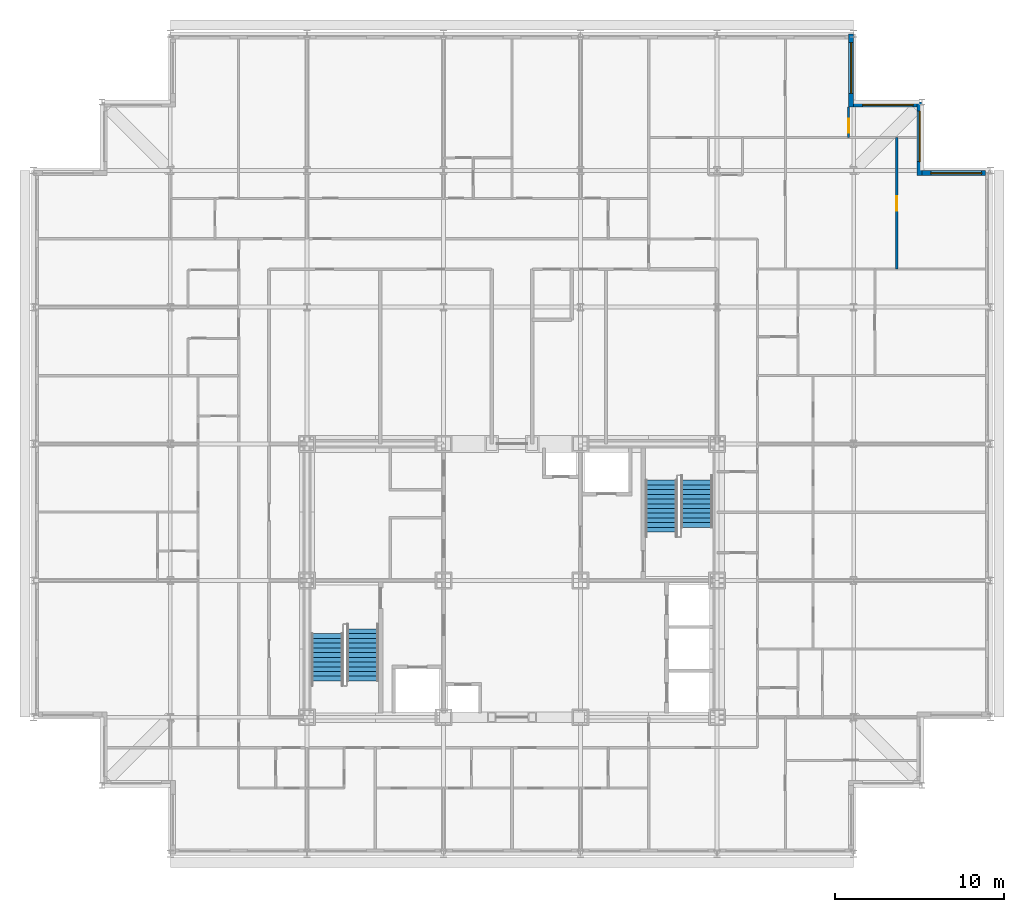
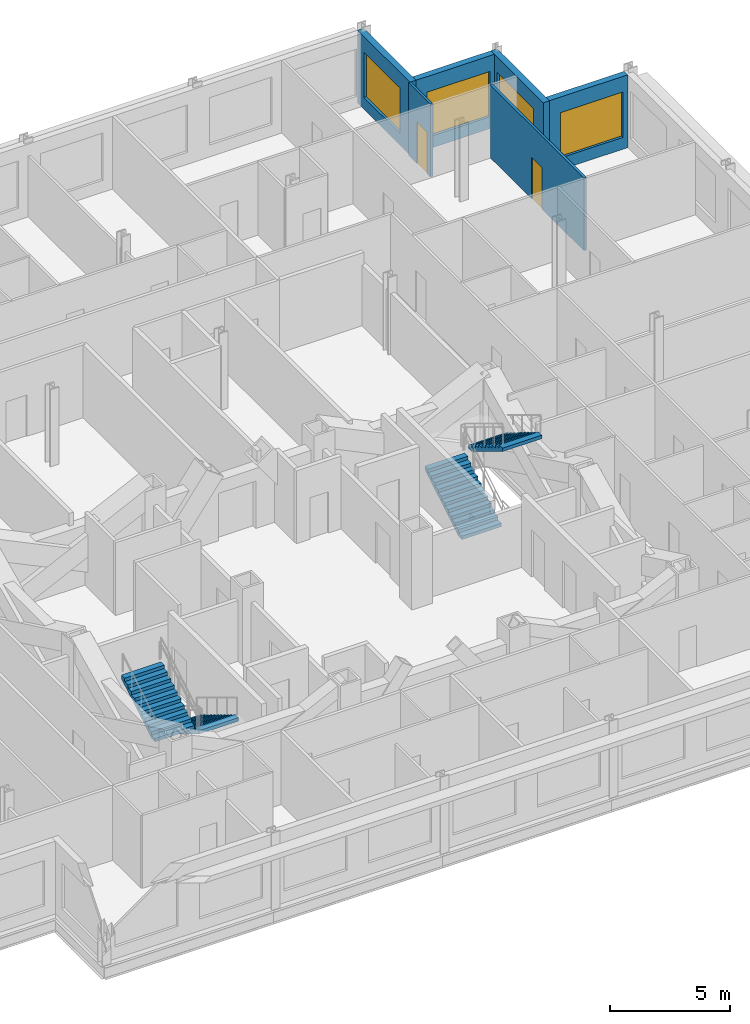
# One storey, part 14 of 15: 6 walls, 4 stair flights, 4 windows, 2 doors, 6 openings, 2 elements without a shape of their own.
"""IFC4 building model written with IfcOpenShell, lengths in metres."""

from ifc_helpers import new_model, si_unit, direction, frame, frame_2d, origin, place, context, subcontext, project, spatial, rectangle, extrude, polygons, source, transform, mapped, material, layer, layer_set, type_object, element, fill, aggregate, save


model = new_model("IFC4")

# Units and contexts
model_context = context("Model", 3, precision=1e-05, world=origin(), true_north=direction((0.0, 1.0)))
body_context = subcontext(model_context, "Body", "Model", "MODEL_VIEW")
ifc_project = project(units=[si_unit("LENGTHUNIT", "METRE"), si_unit("AREAUNIT", "SQUARE_METRE"), si_unit("VOLUMEUNIT", "CUBIC_METRE"), si_unit("PLANEANGLEUNIT", "RADIAN"), si_unit("MASSUNIT", "GRAM", prefix="KILO")], contexts=[model_context])

# Site, building, storey
site_placement = place(None, origin())
site = spatial("IfcSite", under=ifc_project, at=site_placement, CompositionType="ELEMENT")
building_placement = place(site_placement, origin())
building = spatial("IfcBuilding", under=site, at=building_placement, Name="Kopane Lantern Tower", CompositionType="ELEMENT")
storey_placement = place(building_placement, frame((0.0, 0.0, 254.10009765625)))
storey = spatial("IfcBuildingStorey", under=building, at=storey_placement, Name="L65", CompositionType="ELEMENT", Elevation=254.10009765625)

# Wall, opening, door
ifc_material_1 = material(Name="Gypsum board on steel studs", Category="steel")
ifc_layer_1 = layer(ifc_material_1, 0.1201171875)
ifc_layer_set_1 = layer_set([ifc_layer_1], Name="APARTMENT INTERNAL WALL 120")
wall_type_1 = type_object("IfcWallType", Name="APARTMENT INTERNAL WALL 120", PredefinedType="PARTITIONING", material=ifc_layer_set_1)
wall_1_placement = place(storey_placement, frame((48.300048828125, 58.64990234375, 0.0), z_axis=(0.0, 0.0, 1.0), x_axis=(0.0, 1.0, 0.0)))
wall_1 = element("IfcWall", 1, at=wall_1_placement, inside=storey, type_object=wall_type_1, Name="Apartment Internal Wall 120 L65", PredefinedType="PARTITIONING", context=body_context, shape_type="SweptSolid", body=[
    extrude(rectangle(XDim=1.800048828125, YDim=0.1201171875, at=frame_2d((0.89990234375, 0.0))), origin(), (0.0, 0.0, 1.0), 3.68994140625),
])
opening_1_placement = place(wall_1_placement, frame((0.27490234375, 0.0, 0.0)))
opening_1 = element("IfcOpeningElement", 2, at=opening_1_placement, cuts=wall_1, Name="Opening L65-064", PredefinedType="OPENING", context=body_context, shape_type="SweptSolid", body=[
    extrude(rectangle(XDim=0.85009765625, YDim=2.10009765625, at=frame_2d((0.425048828125, 1.050048828125))), frame((0.0, 0.070068359375, 0.0), z_axis=(0.0, -1.0, 0.0), x_axis=(1.0, 0.0, 0.0)), (0.0, 0.0, 1.0), 0.14013671875),
])
ifc_material_2 = material(Name="Timber door set", Category="wood")
door_type = type_object("IfcDoorType", Name="DOOR D4 850x2100", OperationType="SINGLE_SWING_LEFT", PredefinedType="DOOR", material=ifc_material_2)
door_1_placement = place(opening_1_placement, origin())
door_1 = element("IfcDoor", 3, at=door_1_placement, inside=storey, type_object=door_type, Name="Door L65-064", OperationType="SINGLE_SWING_RIGHT", OverallHeight=2.10009765625, OverallWidth=0.85009765625, PredefinedType="DOOR", context=body_context, shape_type="SweptSolid", body=[
    extrude(rectangle(XDim=0.85009765625, YDim=2.10009765625, at=frame_2d((0.425048828125, 1.050048828125))), frame((0.0, 0.02490234375, 0.0), z_axis=(0.0, -1.0, 0.0), x_axis=(1.0, 0.0, 0.0)), (0.0, 0.0, 1.0), 0.050048828125),
])
fill(opening_1, door_1)

wall_2_placement = place(storey_placement, frame((51.14990234375, 50.85009765625, 0.0), z_axis=(0.0, 0.0, 1.0), x_axis=(0.0, 1.0, 0.0)))
wall_2 = element("IfcWall", 4, at=wall_2_placement, inside=storey, type_object=wall_type_1, Name="Apartment Internal Wall 120 L65", PredefinedType="PARTITIONING", context=body_context, shape_type="SweptSolid", body=[
    extrude(rectangle(XDim=7.7998046875, YDim=0.1201171875, at=frame_2d((3.89990234375, 0.0))), origin(), (0.0, 0.0, 1.0), 3.68994140625),
])
opening_2_placement = place(wall_2_placement, frame((3.47509765625, 0.0, 0.0)))
opening_2 = element("IfcOpeningElement", 5, at=opening_2_placement, cuts=wall_2, Name="Opening L65-070", PredefinedType="OPENING", context=body_context, shape_type="SweptSolid", body=[
    extrude(rectangle(XDim=0.85009765625, YDim=2.10009765625, at=frame_2d((0.425048828125, 1.050048828125))), frame((0.0, 0.070068359375, 0.0), z_axis=(0.0, -1.0, 0.0), x_axis=(1.0, 0.0, 0.0)), (0.0, 0.0, 1.0), 0.14013671875),
])
door_2_placement = place(opening_2_placement, origin())
door_2 = element("IfcDoor", 6, at=door_2_placement, inside=storey, type_object=door_type, Name="Door L65-070", OperationType="SINGLE_SWING_RIGHT", OverallHeight=2.10009765625, OverallWidth=0.85009765625, PredefinedType="DOOR", context=body_context, shape_type="SweptSolid", body=[
    extrude(rectangle(XDim=0.85009765625, YDim=2.10009765625, at=frame_2d((0.425048828125, 1.050048828125))), frame((0.0, 0.02490234375, 0.0), z_axis=(0.0, -1.0, 0.0), x_axis=(1.0, 0.0, 0.0)), (0.0, 0.0, 1.0), 0.050048828125),
])
fill(opening_2, door_2)

# Wall, opening, window
ifc_material_3 = material(Name="Terracotta rainscreen on light steel framing", Category="masonry")
ifc_layer_2 = layer(ifc_material_3, 0.300048828125)
ifc_layer_set_2 = layer_set([ifc_layer_2], Name="EXTERNAL WALL EW1 300 TERRACOTTA")
wall_type_2 = type_object("IfcWallType", Name="EXTERNAL WALL EW1 300 TERRACOTTA", PredefinedType="SOLIDWALL", material=ifc_layer_set_2)
wall_3_placement = place(storey_placement, frame((56.39990234375, 56.550048828125, 0.0), z_axis=(0.0, 0.0, 1.0), x_axis=(-1.0, 0.0, 0.0)))
wall_3 = element("IfcWall", 7, at=wall_3_placement, inside=storey, type_object=wall_type_2, Name="External wall N L65", PredefinedType="SOLIDWALL", context=body_context, shape_type="SweptSolid", body=[
    extrude(rectangle(XDim=3.75, YDim=0.300048828125, at=frame_2d((1.875, 0.0))), origin(), (0.0, 0.0, 1.0), 3.68994140625),
])
opening_3_placement = place(wall_3_placement, frame((0.22509765625, 0.0, 0.60009765625)))
opening_3 = element("IfcOpeningElement", 8, at=opening_3_placement, cuts=wall_3, Name="Opening WR300230", PredefinedType="OPENING", context=body_context, shape_type="SweptSolid", body=[
    extrude(rectangle(XDim=3.0, YDim=2.300048828125, at=frame_2d((1.5, 1.14990234375))), frame((0.0, 0.159912109375, 0.0), z_axis=(0.0, -1.0, 0.0), x_axis=(1.0, 0.0, 0.0)), (0.0, 0.0, 1.0), 0.320068359375),
])
ifc_material_4 = material(Name="Aluminium and clear glass", Category="aluminium")
window_type = type_object("IfcWindowType", Name="RIBBON WINDOW WR300230 3000x2300", PartitioningType="SINGLE_PANEL", PredefinedType="WINDOW", material=ifc_material_4)
window_1_placement = place(opening_3_placement, origin())
window_1 = element("IfcWindow", 9, at=window_1_placement, inside=storey, type_object=window_type, Name="Window N L65", OverallHeight=2.300048828125, OverallWidth=3.0, PartitioningType="SINGLE_PANEL", PredefinedType="WINDOW", context=body_context, shape_type="SweptSolid", body=[
    extrude(rectangle(XDim=3.0, YDim=2.300048828125, at=frame_2d((1.5, 1.14990234375))), frame((0.0, 0.030029296875, 0.0), z_axis=(0.0, -1.0, 0.0), x_axis=(1.0, 0.0, 0.0)), (0.0, 0.0, 1.0), 0.06005859375),
])
fill(opening_3, window_1)

wall_4_placement = place(storey_placement, frame((52.5, 56.39990234375, 0.0), z_axis=(0.0, 0.0, 1.0), x_axis=(0.0, 1.0, 0.0)))
wall_4 = element("IfcWall", 10, at=wall_4_placement, inside=storey, type_object=wall_type_2, Name="External wall E L65", PredefinedType="SOLIDWALL", context=body_context, shape_type="SweptSolid", body=[
    extrude(rectangle(XDim=4.35009765625, YDim=0.300048828125, at=frame_2d((2.175048828125, 0.0))), origin(), (0.0, 0.0, 1.0), 3.68994140625),
])
opening_4_placement = place(wall_4_placement, frame((0.824951171875, 0.0, 0.60009765625)))
opening_4 = element("IfcOpeningElement", 11, at=opening_4_placement, cuts=wall_4, Name="Opening WR300230", PredefinedType="OPENING", context=body_context, shape_type="SweptSolid", body=[
    extrude(rectangle(XDim=3.0, YDim=2.300048828125, at=frame_2d((1.5, 1.14990234375))), frame((0.0, 0.159912109375, 0.0), z_axis=(0.0, -1.0, 0.0), x_axis=(1.0, 0.0, 0.0)), (0.0, 0.0, 1.0), 0.320068359375),
])
window_2_placement = place(opening_4_placement, origin())
window_2 = element("IfcWindow", 12, at=window_2_placement, inside=storey, type_object=window_type, Name="Window E L65", OverallHeight=2.300048828125, OverallWidth=3.0, PartitioningType="SINGLE_PANEL", PredefinedType="WINDOW", context=body_context, shape_type="SweptSolid", body=[
    extrude(rectangle(XDim=3.0, YDim=2.300048828125, at=frame_2d((1.5, 1.14990234375))), frame((0.0, 0.030029296875, 0.0), z_axis=(0.0, -1.0, 0.0), x_axis=(1.0, 0.0, 0.0)), (0.0, 0.0, 1.0), 0.06005859375),
])
fill(opening_4, window_2)

wall_5_placement = place(storey_placement, frame((52.35009765625, 60.60009765625, 0.0), z_axis=(0.0, 0.0, 1.0), x_axis=(-1.0, 0.0, 0.0)))
wall_5 = element("IfcWall", 13, at=wall_5_placement, inside=storey, type_object=wall_type_2, Name="External wall N L65", PredefinedType="SOLIDWALL", context=body_context, shape_type="SweptSolid", body=[
    extrude(rectangle(XDim=3.75, YDim=0.300048828125, at=frame_2d((1.875, 0.0))), origin(), (0.0, 0.0, 1.0), 3.68994140625),
])
opening_5_placement = place(wall_5_placement, frame((0.22509765625, 0.0, 0.60009765625)))
opening_5 = element("IfcOpeningElement", 14, at=opening_5_placement, cuts=wall_5, Name="Opening WR300230", PredefinedType="OPENING", context=body_context, shape_type="SweptSolid", body=[
    extrude(rectangle(XDim=3.0, YDim=2.300048828125, at=frame_2d((1.5, 1.14990234375))), frame((0.0, 0.159912109375, 0.0), z_axis=(0.0, -1.0, 0.0), x_axis=(1.0, 0.0, 0.0)), (0.0, 0.0, 1.0), 0.320068359375),
])
window_3_placement = place(opening_5_placement, origin())
window_3 = element("IfcWindow", 15, at=window_3_placement, inside=storey, type_object=window_type, Name="Window N L65", OverallHeight=2.300048828125, OverallWidth=3.0, PartitioningType="SINGLE_PANEL", PredefinedType="WINDOW", context=body_context, shape_type="SweptSolid", body=[
    extrude(rectangle(XDim=3.0, YDim=2.300048828125, at=frame_2d((1.5, 1.14990234375))), frame((0.0, 0.030029296875, 0.0), z_axis=(0.0, -1.0, 0.0), x_axis=(1.0, 0.0, 0.0)), (0.0, 0.0, 1.0), 0.06005859375),
])
fill(opening_5, window_3)

wall_6_placement = place(storey_placement, frame((48.449951171875, 60.449951171875, 0.0), z_axis=(0.0, 0.0, 1.0), x_axis=(0.0, 1.0, 0.0)))
wall_6 = element("IfcWall", 16, at=wall_6_placement, inside=storey, type_object=wall_type_2, Name="External wall E L65", PredefinedType="SOLIDWALL", context=body_context, shape_type="SweptSolid", body=[
    extrude(rectangle(XDim=4.35009765625, YDim=0.300048828125, at=frame_2d((2.175048828125, 0.0))), origin(), (0.0, 0.0, 1.0), 3.68994140625),
])
opening_6_placement = place(wall_6_placement, frame((0.824951171875, 0.0, 0.60009765625)))
opening_6 = element("IfcOpeningElement", 17, at=opening_6_placement, cuts=wall_6, Name="Opening WR300230", PredefinedType="OPENING", context=body_context, shape_type="SweptSolid", body=[
    extrude(rectangle(XDim=3.0, YDim=2.300048828125, at=frame_2d((1.5, 1.14990234375))), frame((0.0, 0.159912109375, 0.0), z_axis=(0.0, -1.0, 0.0), x_axis=(1.0, 0.0, 0.0)), (0.0, 0.0, 1.0), 0.320068359375),
])
window_4_placement = place(opening_6_placement, origin())
window_4 = element("IfcWindow", 18, at=window_4_placement, inside=storey, type_object=window_type, Name="Window E L65", OverallHeight=2.300048828125, OverallWidth=3.0, PartitioningType="SINGLE_PANEL", PredefinedType="WINDOW", context=body_context, shape_type="SweptSolid", body=[
    extrude(rectangle(XDim=3.0, YDim=2.300048828125, at=frame_2d((1.5, 1.14990234375))), frame((0.0, 0.030029296875, 0.0), z_axis=(0.0, -1.0, 0.0), x_axis=(1.0, 0.0, 0.0)), (0.0, 0.0, 1.0), 0.06005859375),
])
fill(opening_6, window_4)

# Stair, stair flight
ifc_material_5 = material(Name="Steel S355JR", Category="steel")
stair_type = type_object("IfcStairType", Name="EXIT STAIR 1900 HALF TURN", PredefinedType="HALF_TURN_STAIR", material=ifc_material_5)
stair_1_placement = place(storey_placement, origin())
stair_1 = element("IfcStair", 19, at=stair_1_placement, inside=storey, type_object=stair_type, Name="Exit stair ST1 L65", PredefinedType="HALF_TURN_STAIR")
ifc_material_6 = material(Name="Steel S355JR", Category="steel")
stair_flight_type = type_object("IfcStairFlightType", Name="STAIR FLIGHT 1900 STEEL", PredefinedType="STRAIGHT", material=ifc_material_6)
shared_shape_1 = source(origin(), body_context, "Body", "Tessellation", [
    polygons([(3.080078125, 0.949951172, 1.865234375), (2.800048828, 0.949951172, 1.865234375), (2.800048828, -0.949951172, 1.865234375), (3.080078125, -0.949951172, 1.865234375), (0.289306641, 0.949951172, 0.0), (3.080078125, 0.949951172, 1.689941406), (3.080078125, -0.949951172, 1.689941406), (0.289306641, -0.949951172, 0.0), (0.0, 0.949951172, 0.0), (0.0, -0.949951172, 0.0), (0.280029297, 0.949951172, 0.169677734), (0.0, 0.949951172, 0.169677734), (0.0, -0.949951172, 0.169677734), (0.280029297, -0.949951172, 0.169677734), (0.280029297, 0.949951172, 0.339111328), (0.280029297, -0.949951172, 0.339111328), (0.560058594, 0.949951172, 0.339111328), (0.560058594, -0.949951172, 0.339111328), (0.560058594, 0.949951172, 0.508789062), (0.560058594, -0.949951172, 0.508789062), (0.840087891, 0.949951172, 0.508789062), (0.840087891, -0.949951172, 0.508789062), (0.840087891, 0.949951172, 0.678222656), (0.840087891, -0.949951172, 0.678222656), (1.120117188, 0.949951172, 0.678222656), (1.120117188, -0.949951172, 0.678222656), (1.120117188, 0.949951172, 0.847900391), (1.120117188, -0.949951172, 0.847900391), (1.399902344, 0.949951172, 0.847900391), (1.399902344, -0.949951172, 0.847900391), (1.399902344, 0.949951172, 1.017333984), (1.399902344, -0.949951172, 1.017333984), (1.679931641, 0.949951172, 1.017333984), (1.679931641, -0.949951172, 1.017333984), (1.679931641, 0.949951172, 1.187011719), (1.679931641, -0.949951172, 1.187011719), (1.959960938, 0.949951172, 1.187011719), (1.959960938, -0.949951172, 1.187011719), (1.959960938, 0.949951172, 1.356445312), (1.959960938, -0.949951172, 1.356445312), (2.239990234, 0.949951172, 1.356445312), (2.239990234, -0.949951172, 1.356445312), (2.239990234, 0.949951172, 1.526123047), (2.239990234, -0.949951172, 1.526123047), (2.520019531, 0.949951172, 1.526123047), (2.520019531, -0.949951172, 1.526123047), (2.520019531, 0.949951172, 1.695556641), (2.520019531, -0.949951172, 1.695556641), (2.800048828, 0.949951172, 1.695556641), (2.800048828, -0.949951172, 1.695556641), (0.0, 0.0, 0.004585885), (0.0, 0.0, 0.009171769), (0.0, 0.0, 0.013757654), (0.0, 0.0, 0.018343539), (0.0, 0.0, 0.022929424), (0.0, 0.0, 0.027515308), (0.0, 0.0, 0.032101193), (0.0, 0.0, 0.036687078), (0.0, 0.0, 0.041272962), (0.0, 0.0, 0.045858847), (0.0, 0.0, 0.050444732), (0.0, 0.0, 0.055030617), (0.0, 0.0, 0.059616501), (0.0, 0.0, 0.064202386), (0.0, 0.0, 0.068788271), (0.0, 0.0, 0.073374155), (0.0, 0.0, 0.07796004), (0.0, 0.0, 0.082545925), (0.0, 0.0, 0.08713181), (0.0, 0.0, 0.091717694), (0.0, 0.0, 0.096303579), (0.0, 0.0, 0.100889464), (0.0, 0.0, 0.105475348), (0.0, 0.0, 0.110061233), (0.0, 0.0, 0.114647118), (0.0, 0.0, 0.119233003), (0.0, 0.0, 0.123818887), (0.0, 0.0, 0.128404772), (0.0, 0.0, 0.132990657), (0.0, 0.0, 0.137576541), (0.0, 0.0, 0.142162426), (0.0, 0.0, 0.146748311), (0.0, 0.0, 0.151334196), (0.0, 0.0, 0.15592008), (0.0, 0.0, 0.160505965), (0.0, 0.0, 0.16509185), (3.080078125, 0.0, 1.694679054), (3.080078125, 0.0, 1.699416702), (3.080078125, 0.0, 1.70415435), (3.080078125, 0.0, 1.708891997), (3.080078125, 0.0, 1.713629645), (3.080078125, 0.0, 1.718367293), (3.080078125, 0.0, 1.723104941), (3.080078125, 0.0, 1.727842589), (3.080078125, 0.0, 1.732580236), (3.080078125, 0.0, 1.737317884), (3.080078125, 0.0, 1.742055532), (3.080078125, 0.0, 1.74679318), (3.080078125, 0.0, 1.751530828), (3.080078125, 0.0, 1.756268476), (3.080078125, 0.0, 1.761006123), (3.080078125, 0.0, 1.765743771), (3.080078125, 0.0, 1.770481419), (3.080078125, 0.0, 1.775219067), (3.080078125, 0.0, 1.779956715), (3.080078125, 0.0, 1.784694362), (3.080078125, 0.0, 1.78943201), (3.080078125, 0.0, 1.794169658), (3.080078125, 0.0, 1.798907306), (3.080078125, 0.0, 1.803644954), (3.080078125, 0.0, 1.808382601), (3.080078125, 0.0, 1.813120249), (3.080078125, 0.0, 1.817857897), (3.080078125, 0.0, 1.822595545), (3.080078125, 0.0, 1.827333193), (3.080078125, 0.0, 1.83207084), (3.080078125, 0.0, 1.836808488), (3.080078125, 0.0, 1.841546136), (3.080078125, 0.0, 1.846283784), (3.080078125, 0.0, 1.851021432), (3.080078125, 0.0, 1.855759079), (3.080078125, 0.0, 1.860496727)], [[[1, 2, 3]], [[1, 3, 4]], [[5, 6, 7]], [[5, 7, 8]], [[9, 5, 8]], [[9, 8, 10]], [[11, 12, 13]], [[11, 13, 14]], [[15, 11, 14]], [[15, 14, 16]], [[17, 15, 16]], [[17, 16, 18]], [[19, 17, 18]], [[19, 18, 20]], [[21, 19, 20]], [[21, 20, 22]], [[23, 21, 22]], [[23, 22, 24]], [[25, 23, 24]], [[25, 24, 26]], [[27, 25, 26]], [[27, 26, 28]], [[29, 27, 28]], [[29, 28, 30]], [[31, 29, 30]], [[31, 30, 32]], [[33, 31, 32]], [[33, 32, 34]], [[35, 33, 34]], [[35, 34, 36]], [[37, 35, 36]], [[37, 36, 38]], [[39, 37, 38]], [[39, 38, 40]], [[41, 39, 40]], [[41, 40, 42]], [[43, 41, 42]], [[43, 42, 44]], [[45, 43, 44]], [[45, 44, 46]], [[47, 45, 46]], [[47, 46, 48]], [[49, 47, 48]], [[49, 48, 50]], [[2, 49, 50]], [[2, 50, 3]], [[49, 1, 6]], [[45, 49, 6]], [[2, 1, 49]], [[41, 45, 6]], [[47, 49, 45]], [[37, 41, 6]], [[43, 45, 41]], [[39, 41, 37]], [[35, 37, 33]], [[31, 33, 29]], [[5, 21, 25]], [[27, 29, 25]], [[17, 21, 5]], [[23, 25, 21]], [[11, 17, 5]], [[19, 21, 17]], [[9, 11, 5]], [[15, 17, 11]], [[12, 11, 9]], [[6, 5, 25]], [[6, 25, 29]], [[6, 29, 33]], [[6, 33, 37]], [[7, 4, 50]], [[7, 50, 46]], [[50, 4, 3]], [[7, 46, 42]], [[46, 50, 48]], [[7, 42, 38]], [[42, 46, 44]], [[38, 42, 40]], [[34, 38, 36]], [[30, 34, 32]], [[26, 22, 8]], [[26, 30, 28]], [[8, 22, 18]], [[22, 26, 24]], [[8, 18, 14]], [[18, 22, 20]], [[8, 14, 10]], [[14, 18, 16]], [[10, 14, 13]], [[26, 8, 7]], [[30, 26, 7]], [[34, 30, 7]], [[38, 34, 7]], [[10, 51, 9]], [[10, 52, 51]], [[9, 51, 52]], [[10, 53, 52]], [[9, 52, 53]], [[10, 54, 53]], [[9, 53, 54]], [[10, 55, 54]], [[9, 54, 55]], [[10, 56, 55]], [[9, 55, 56]], [[10, 57, 56]], [[9, 56, 57]], [[10, 58, 57]], [[9, 57, 58]], [[10, 59, 58]], [[9, 58, 59]], [[10, 60, 59]], [[9, 59, 60]], [[10, 61, 60]], [[9, 60, 61]], [[10, 62, 61]], [[9, 61, 62]], [[10, 63, 62]], [[9, 62, 63]], [[10, 64, 63]], [[9, 63, 64]], [[10, 65, 64]], [[9, 64, 65]], [[10, 66, 65]], [[9, 65, 66]], [[10, 67, 66]], [[9, 66, 67]], [[10, 68, 67]], [[9, 67, 68]], [[10, 69, 68]], [[9, 68, 69]], [[10, 70, 69]], [[9, 69, 70]], [[10, 71, 70]], [[9, 70, 71]], [[10, 72, 71]], [[9, 71, 72]], [[10, 73, 72]], [[9, 72, 73]], [[10, 74, 73]], [[9, 73, 74]], [[10, 75, 74]], [[9, 74, 75]], [[10, 76, 75]], [[9, 75, 76]], [[10, 77, 76]], [[9, 76, 77]], [[10, 78, 77]], [[9, 77, 78]], [[10, 79, 78]], [[9, 78, 79]], [[10, 80, 79]], [[9, 79, 80]], [[10, 81, 80]], [[9, 80, 81]], [[10, 82, 81]], [[9, 81, 82]], [[10, 83, 82]], [[9, 82, 83]], [[10, 84, 83]], [[9, 83, 84]], [[10, 85, 84]], [[9, 84, 85]], [[10, 86, 85]], [[9, 85, 86]], [[10, 13, 86]], [[86, 13, 12]], [[9, 86, 12]], [[7, 6, 87]], [[7, 87, 88]], [[6, 88, 87]], [[7, 88, 89]], [[6, 89, 88]], [[7, 89, 90]], [[6, 90, 89]], [[7, 90, 91]], [[6, 91, 90]], [[7, 91, 92]], [[6, 92, 91]], [[7, 92, 93]], [[6, 93, 92]], [[7, 93, 94]], [[6, 94, 93]], [[7, 94, 95]], [[6, 95, 94]], [[7, 95, 96]], [[6, 96, 95]], [[7, 96, 97]], [[6, 97, 96]], [[7, 97, 98]], [[6, 98, 97]], [[7, 98, 99]], [[6, 99, 98]], [[7, 99, 100]], [[6, 100, 99]], [[7, 100, 101]], [[6, 101, 100]], [[7, 101, 102]], [[6, 102, 101]], [[7, 102, 103]], [[6, 103, 102]], [[7, 103, 104]], [[6, 104, 103]], [[7, 104, 105]], [[6, 105, 104]], [[7, 105, 106]], [[6, 106, 105]], [[7, 106, 107]], [[6, 107, 106]], [[7, 107, 108]], [[6, 108, 107]], [[7, 108, 109]], [[6, 109, 108]], [[7, 109, 110]], [[6, 110, 109]], [[7, 110, 111]], [[6, 111, 110]], [[7, 111, 112]], [[6, 112, 111]], [[7, 112, 113]], [[6, 113, 112]], [[7, 113, 114]], [[6, 114, 113]], [[7, 114, 115]], [[6, 115, 114]], [[7, 115, 116]], [[6, 116, 115]], [[7, 116, 117]], [[6, 117, 116]], [[7, 117, 118]], [[6, 118, 117]], [[7, 118, 119]], [[6, 119, 118]], [[7, 119, 120]], [[6, 120, 119]], [[7, 120, 121]], [[6, 121, 120]], [[7, 121, 122]], [[6, 122, 121]], [[7, 122, 4]], [[122, 1, 4]], [[6, 1, 122]]], closed=True),
])
stair_flight_1_placement = place(storey_placement, frame((19.5, 29.530029296875, 0.0), z_axis=(0.0, 0.0, 1.0), x_axis=(0.0, -1.0, 0.0)))
stair_flight_1 = element("IfcStairFlight", 20, at=stair_flight_1_placement, type_object=stair_flight_type, Name="ST1 flight 1", NumberOfRisers=12, NumberOfTreads=11, PredefinedType="STRAIGHT", RiserHeight=0.169565217, TreadLength=0.28, context=body_context, shape_type="MappedRepresentation", body=[
    mapped(shared_shape_1, transform((0.0, 0.0, 0.0))),
])

stair_2_placement = place(storey_placement, origin())
stair_2 = element("IfcStair", 21, at=stair_2_placement, inside=storey, type_object=stair_type, Name="Exit stair ST2 L65", PredefinedType="HALF_TURN_STAIR")
stair_flight_2_placement = place(storey_placement, frame((37.199951171875, 35.27001953125, 0.0), z_axis=(0.0, 0.0, 1.0), x_axis=(0.0, 1.0, 0.0)))
stair_flight_2 = element("IfcStairFlight", 22, at=stair_flight_2_placement, type_object=stair_flight_type, Name="ST2 flight 1", NumberOfRisers=12, NumberOfTreads=11, PredefinedType="STRAIGHT", RiserHeight=0.169565217, TreadLength=0.28, context=body_context, shape_type="MappedRepresentation", body=[
    mapped(shared_shape_1, transform((0.0, 0.0, 0.0))),
])

# Stair flight
shared_shape_2 = source(origin(), body_context, "Body", "Tessellation", [
    polygons([(2.800048828, 0.949951172, 1.695556641), (2.520019531, 0.949951172, 1.695556641), (2.520019531, -0.949951172, 1.695556641), (2.800048828, -0.949951172, 1.695556641), (0.289306641, 0.949951172, 0.0), (2.800048828, 0.949951172, 1.520507812), (2.800048828, -0.949951172, 1.520507812), (0.289306641, -0.949951172, 0.0), (0.0, 0.949951172, 0.0), (0.0, -0.949951172, 0.0), (0.280029297, 0.949951172, 0.169677734), (0.0, 0.949951172, 0.169677734), (0.0, -0.949951172, 0.169677734), (0.280029297, -0.949951172, 0.169677734), (0.280029297, 0.949951172, 0.339111328), (0.280029297, -0.949951172, 0.339111328), (0.560058594, 0.949951172, 0.339111328), (0.560058594, -0.949951172, 0.339111328), (0.560058594, 0.949951172, 0.508789062), (0.560058594, -0.949951172, 0.508789062), (0.840087891, 0.949951172, 0.508789062), (0.840087891, -0.949951172, 0.508789062), (0.840087891, 0.949951172, 0.678222656), (0.840087891, -0.949951172, 0.678222656), (1.120117188, 0.949951172, 0.678222656), (1.120117188, -0.949951172, 0.678222656), (1.120117188, 0.949951172, 0.847900391), (1.120117188, -0.949951172, 0.847900391), (1.399902344, 0.949951172, 0.847900391), (1.399902344, -0.949951172, 0.847900391), (1.399902344, 0.949951172, 1.017333984), (1.399902344, -0.949951172, 1.017333984), (1.679931641, 0.949951172, 1.017333984), (1.679931641, -0.949951172, 1.017333984), (1.679931641, 0.949951172, 1.187011719), (1.679931641, -0.949951172, 1.187011719), (1.959960938, 0.949951172, 1.187011719), (1.959960938, -0.949951172, 1.187011719), (1.959960938, 0.949951172, 1.356445312), (1.959960938, -0.949951172, 1.356445312), (2.239990234, 0.949951172, 1.356445312), (2.239990234, -0.949951172, 1.356445312), (2.239990234, 0.949951172, 1.526123047), (2.239990234, -0.949951172, 1.526123047), (2.520019531, 0.949951172, 1.526123047), (2.520019531, -0.949951172, 1.526123047), (0.0, 0.0, 0.004585885), (0.0, 0.0, 0.009171769), (0.0, 0.0, 0.013757654), (0.0, 0.0, 0.018343539), (0.0, 0.0, 0.022929424), (0.0, 0.0, 0.027515308), (0.0, 0.0, 0.032101193), (0.0, 0.0, 0.036687078), (0.0, 0.0, 0.041272962), (0.0, 0.0, 0.045858847), (0.0, 0.0, 0.050444732), (0.0, 0.0, 0.055030617), (0.0, 0.0, 0.059616501), (0.0, 0.0, 0.064202386), (0.0, 0.0, 0.068788271), (0.0, 0.0, 0.073374155), (0.0, 0.0, 0.07796004), (0.0, 0.0, 0.082545925), (0.0, 0.0, 0.08713181), (0.0, 0.0, 0.091717694), (0.0, 0.0, 0.096303579), (0.0, 0.0, 0.100889464), (0.0, 0.0, 0.105475348), (0.0, 0.0, 0.110061233), (0.0, 0.0, 0.114647118), (0.0, 0.0, 0.119233003), (0.0, 0.0, 0.123818887), (0.0, 0.0, 0.128404772), (0.0, 0.0, 0.132990657), (0.0, 0.0, 0.137576541), (0.0, 0.0, 0.142162426), (0.0, 0.0, 0.146748311), (0.0, 0.0, 0.151334196), (0.0, 0.0, 0.15592008), (0.0, 0.0, 0.160505965), (0.0, 0.0, 0.16509185), (2.800048828, 0.0, 1.525238862), (2.800048828, 0.0, 1.529969911), (2.800048828, 0.0, 1.534700961), (2.800048828, 0.0, 1.53943201), (2.800048828, 0.0, 1.54416306), (2.800048828, 0.0, 1.548894109), (2.800048828, 0.0, 1.553625158), (2.800048828, 0.0, 1.558356208), (2.800048828, 0.0, 1.563087257), (2.800048828, 0.0, 1.567818307), (2.800048828, 0.0, 1.572549356), (2.800048828, 0.0, 1.577280405), (2.800048828, 0.0, 1.582011455), (2.800048828, 0.0, 1.586742504), (2.800048828, 0.0, 1.591473554), (2.800048828, 0.0, 1.596204603), (2.800048828, 0.0, 1.600935652), (2.800048828, 0.0, 1.605666702), (2.800048828, 0.0, 1.610397751), (2.800048828, 0.0, 1.615128801), (2.800048828, 0.0, 1.61985985), (2.800048828, 0.0, 1.624590899), (2.800048828, 0.0, 1.629321949), (2.800048828, 0.0, 1.634052998), (2.800048828, 0.0, 1.638784048), (2.800048828, 0.0, 1.643515097), (2.800048828, 0.0, 1.648246147), (2.800048828, 0.0, 1.652977196), (2.800048828, 0.0, 1.657708245), (2.800048828, 0.0, 1.662439295), (2.800048828, 0.0, 1.667170344), (2.800048828, 0.0, 1.671901394), (2.800048828, 0.0, 1.676632443), (2.800048828, 0.0, 1.681363492), (2.800048828, 0.0, 1.686094542), (2.800048828, 0.0, 1.690825591)], [[[1, 2, 3]], [[1, 3, 4]], [[5, 6, 7]], [[5, 7, 8]], [[9, 5, 8]], [[9, 8, 10]], [[11, 12, 13]], [[11, 13, 14]], [[15, 11, 14]], [[15, 14, 16]], [[17, 15, 16]], [[17, 16, 18]], [[19, 17, 18]], [[19, 18, 20]], [[21, 19, 20]], [[21, 20, 22]], [[23, 21, 22]], [[23, 22, 24]], [[25, 23, 24]], [[25, 24, 26]], [[27, 25, 26]], [[27, 26, 28]], [[29, 27, 28]], [[29, 28, 30]], [[31, 29, 30]], [[31, 30, 32]], [[33, 31, 32]], [[33, 32, 34]], [[35, 33, 34]], [[35, 34, 36]], [[37, 35, 36]], [[37, 36, 38]], [[39, 37, 38]], [[39, 38, 40]], [[41, 39, 40]], [[41, 40, 42]], [[43, 41, 42]], [[43, 42, 44]], [[45, 43, 44]], [[45, 44, 46]], [[2, 45, 46]], [[2, 46, 3]], [[45, 1, 6]], [[41, 45, 6]], [[2, 1, 45]], [[37, 41, 6]], [[43, 45, 41]], [[39, 41, 37]], [[35, 37, 33]], [[31, 33, 29]], [[5, 21, 25]], [[27, 29, 25]], [[17, 21, 5]], [[23, 25, 21]], [[11, 17, 5]], [[19, 21, 17]], [[9, 11, 5]], [[15, 17, 11]], [[12, 11, 9]], [[6, 5, 25]], [[6, 25, 29]], [[6, 29, 33]], [[6, 33, 37]], [[7, 4, 46]], [[7, 46, 42]], [[46, 4, 3]], [[7, 42, 38]], [[42, 46, 44]], [[38, 42, 40]], [[34, 38, 36]], [[30, 34, 32]], [[26, 22, 8]], [[26, 30, 28]], [[8, 22, 18]], [[22, 26, 24]], [[8, 18, 14]], [[18, 22, 20]], [[8, 14, 10]], [[14, 18, 16]], [[10, 14, 13]], [[26, 8, 7]], [[30, 26, 7]], [[34, 30, 7]], [[38, 34, 7]], [[10, 47, 9]], [[10, 48, 47]], [[9, 47, 48]], [[10, 49, 48]], [[9, 48, 49]], [[10, 50, 49]], [[9, 49, 50]], [[10, 51, 50]], [[9, 50, 51]], [[10, 52, 51]], [[9, 51, 52]], [[10, 53, 52]], [[9, 52, 53]], [[10, 54, 53]], [[9, 53, 54]], [[10, 55, 54]], [[9, 54, 55]], [[10, 56, 55]], [[9, 55, 56]], [[10, 57, 56]], [[9, 56, 57]], [[10, 58, 57]], [[9, 57, 58]], [[10, 59, 58]], [[9, 58, 59]], [[10, 60, 59]], [[9, 59, 60]], [[10, 61, 60]], [[9, 60, 61]], [[10, 62, 61]], [[9, 61, 62]], [[10, 63, 62]], [[9, 62, 63]], [[10, 64, 63]], [[9, 63, 64]], [[10, 65, 64]], [[9, 64, 65]], [[10, 66, 65]], [[9, 65, 66]], [[10, 67, 66]], [[9, 66, 67]], [[10, 68, 67]], [[9, 67, 68]], [[10, 69, 68]], [[9, 68, 69]], [[10, 70, 69]], [[9, 69, 70]], [[10, 71, 70]], [[9, 70, 71]], [[10, 72, 71]], [[9, 71, 72]], [[10, 73, 72]], [[9, 72, 73]], [[10, 74, 73]], [[9, 73, 74]], [[10, 75, 74]], [[9, 74, 75]], [[10, 76, 75]], [[9, 75, 76]], [[10, 77, 76]], [[9, 76, 77]], [[10, 78, 77]], [[9, 77, 78]], [[10, 79, 78]], [[9, 78, 79]], [[10, 80, 79]], [[9, 79, 80]], [[10, 81, 80]], [[9, 80, 81]], [[10, 82, 81]], [[9, 81, 82]], [[10, 13, 82]], [[82, 13, 12]], [[9, 82, 12]], [[7, 6, 83]], [[7, 83, 84]], [[6, 84, 83]], [[7, 84, 85]], [[6, 85, 84]], [[7, 85, 86]], [[6, 86, 85]], [[7, 86, 87]], [[6, 87, 86]], [[7, 87, 88]], [[6, 88, 87]], [[7, 88, 89]], [[6, 89, 88]], [[7, 89, 90]], [[6, 90, 89]], [[7, 90, 91]], [[6, 91, 90]], [[7, 91, 92]], [[6, 92, 91]], [[7, 92, 93]], [[6, 93, 92]], [[7, 93, 94]], [[6, 94, 93]], [[7, 94, 95]], [[6, 95, 94]], [[7, 95, 96]], [[6, 96, 95]], [[7, 96, 97]], [[6, 97, 96]], [[7, 97, 98]], [[6, 98, 97]], [[7, 98, 99]], [[6, 99, 98]], [[7, 99, 100]], [[6, 100, 99]], [[7, 100, 101]], [[6, 101, 100]], [[7, 101, 102]], [[6, 102, 101]], [[7, 102, 103]], [[6, 103, 102]], [[7, 103, 104]], [[6, 104, 103]], [[7, 104, 105]], [[6, 105, 104]], [[7, 105, 106]], [[6, 106, 105]], [[7, 106, 107]], [[6, 107, 106]], [[7, 107, 108]], [[6, 108, 107]], [[7, 108, 109]], [[6, 109, 108]], [[7, 109, 110]], [[6, 110, 109]], [[7, 110, 111]], [[6, 111, 110]], [[7, 111, 112]], [[6, 112, 111]], [[7, 112, 113]], [[6, 113, 112]], [[7, 113, 114]], [[6, 114, 113]], [[7, 114, 115]], [[6, 115, 114]], [[7, 115, 116]], [[6, 116, 115]], [[7, 116, 117]], [[6, 117, 116]], [[7, 117, 118]], [[6, 118, 117]], [[7, 118, 4]], [[118, 1, 4]], [[6, 1, 118]]], closed=True),
])
stair_flight_3_placement = place(storey_placement, frame((17.39990234375, 26.449951171875, 2.03466796875), z_axis=(0.0, 0.0, 1.0), x_axis=(0.0, 1.0, 0.0)))
stair_flight_3 = element("IfcStairFlight", 23, at=stair_flight_3_placement, type_object=stair_flight_type, Name="ST1 flight 2", NumberOfRisers=11, NumberOfTreads=10, PredefinedType="STRAIGHT", RiserHeight=0.169565217, TreadLength=0.28, context=body_context, shape_type="MappedRepresentation", body=[
    mapped(shared_shape_2, transform((0.0, 0.0, 0.0))),
])

aggregate(stair_1, [stair_flight_1, stair_flight_3])

stair_flight_4_placement = place(storey_placement, frame((39.300048828125, 38.35009765625, 2.03466796875), z_axis=(0.0, 0.0, 1.0), x_axis=(0.0, -1.0, 0.0)))
stair_flight_4 = element("IfcStairFlight", 24, at=stair_flight_4_placement, type_object=stair_flight_type, Name="ST2 flight 2", NumberOfRisers=11, NumberOfTreads=10, PredefinedType="STRAIGHT", RiserHeight=0.169565217, TreadLength=0.28, context=body_context, shape_type="MappedRepresentation", body=[
    mapped(shared_shape_2, transform((0.0, 0.0, 0.0))),
])

aggregate(stair_2, [stair_flight_2, stair_flight_4])

save(model, "model.ifc")
